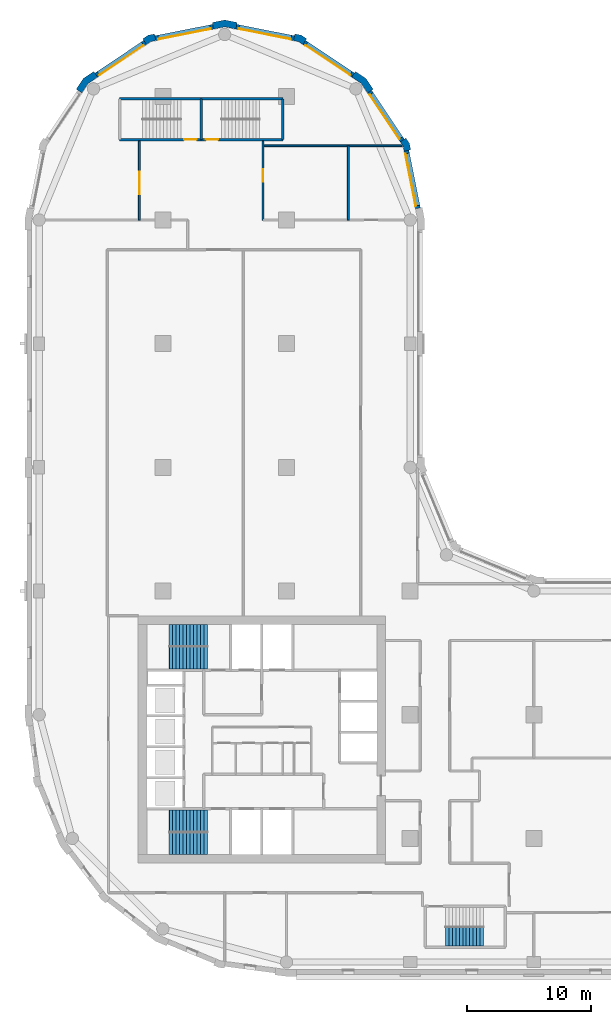
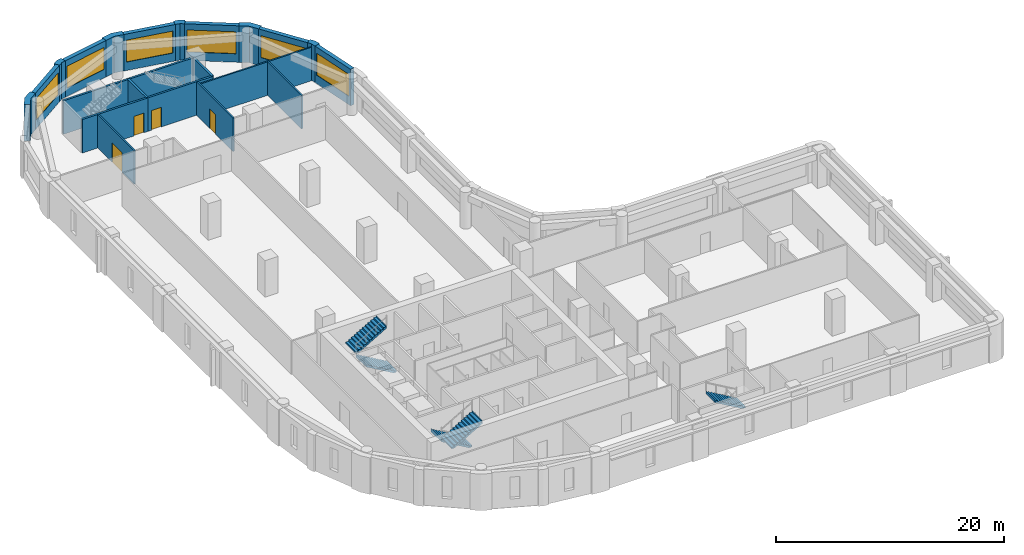
# One storey, part 6 of 9: 22 walls, 6 windows, 5 stair flights, 4 doors, 10 openings, 3 elements without a shape of their own.
"""IFC4 building model written with IfcOpenShell, lengths in metres."""

from ifc_helpers import new_model, si_unit, direction, frame, frame_2d, origin, place, context, subcontext, project, spatial, polyline, rectangle, outline, extrude, material, layer, layer_set, type_object, element, fill, aggregate, save


model = new_model("IFC4")

# Units and contexts
model_context = context("Model", 3, precision=1e-05, world=origin(), true_north=direction((0.0, 1.0)))
body_context = subcontext(model_context, "Body", "Model", "MODEL_VIEW")
ifc_project = project(units=[si_unit("LENGTHUNIT", "METRE"), si_unit("AREAUNIT", "SQUARE_METRE"), si_unit("VOLUMEUNIT", "CUBIC_METRE"), si_unit("PLANEANGLEUNIT", "RADIAN"), si_unit("MASSUNIT", "GRAM", prefix="KILO")], contexts=[model_context])

# Site, building, storey
site_placement = place(None, origin())
site = spatial("IfcSite", under=ifc_project, at=site_placement, CompositionType="ELEMENT")
building_placement = place(site_placement, origin())
building = spatial("IfcBuilding", under=site, at=building_placement, Name="Qaws Garden Tower", CompositionType="ELEMENT")
storey_placement = place(building_placement, frame((0.0, 0.0, 147.300048828125)))
storey = spatial("IfcBuildingStorey", under=building, at=storey_placement, Name="L35", CompositionType="ELEMENT", Elevation=147.300048828125)

# Wall, opening, window
ifc_material_1 = material(Name="Clay facing brick masonry", Category="masonry")
ifc_layer_1 = layer(ifc_material_1, 0.39990234375)
ifc_layer_set_1 = layer_set([ifc_layer_1], Name="Clay facing brick masonry")
wall_type_1 = type_object("IfcWallType", Name="Brick infill wall 400", PredefinedType="SOLIDWALL", material=ifc_layer_set_1)
wall_1_placement = place(storey_placement, frame((30.628662109375, 60.940673828125, 0.0), z_axis=(0.0, 0.0, 1.0), x_axis=(-0.195098533057, 0.98078364709, 0.0)))
wall_1 = element("IfcWall", 1, at=wall_1_placement, inside=storey, type_object=wall_type_1, Name="E-L35-infill-13", PredefinedType="SOLIDWALL", context=body_context, shape_type="SweptSolid", body=[
    extrude(rectangle(XDim=4.752685546875, YDim=0.39990234375, at=frame_2d((2.37646484375, 0.0))), origin(), (0.0, 0.0, 1.0), 3.89990234375),
])
opening_1_placement = place(wall_1_placement, frame((0.226318359375, 0.0, 0.89990234375)))
opening_1 = element("IfcOpeningElement", 2, at=opening_1_placement, cuts=wall_1, Name="Opening W06", PredefinedType="OPENING", context=body_context, shape_type="SweptSolid", body=[
    extrude(rectangle(XDim=4.300048828125, YDim=2.35009765625, at=frame_2d((2.14990234375, 1.175048828125))), frame((0.0, 0.2099609375, 0.0), z_axis=(0.0, -1.0, 0.0), x_axis=(1.0, 0.0, 0.0)), (0.0, 0.0, 1.0), 0.419921875),
])
ifc_material_2 = material(Name="Aluminium framed window, clear glazing", Category="aluminium")
window_type = type_object("IfcWindowType", Name="Ribbon window 4300 x 2350", PartitioningType="DOUBLE_PANEL_VERTICAL", PredefinedType="WINDOW", material=ifc_material_2)
window_1_placement = place(opening_1_placement, origin())
window_1 = element("IfcWindow", 3, at=window_1_placement, inside=storey, type_object=window_type, Name="E-L35-window-13-0", OverallHeight=2.35009765625, OverallWidth=4.300048828125, PartitioningType="SINGLE_PANEL", PredefinedType="WINDOW", context=body_context, shape_type="SweptSolid", body=[
    extrude(rectangle(XDim=4.300048828125, YDim=2.35009765625, at=frame_2d((2.14990234375, 1.175048828125))), frame((0.0, 0.159912109375, 0.0), z_axis=(0.0, -1.0, 0.0), x_axis=(1.0, 0.0, 0.0)), (0.0, 0.0, 1.0), 0.06005859375),
])
fill(opening_1, window_1)

wall_2_placement = place(storey_placement, frame((29.356689453125, 66.43408203125, 0.0), z_axis=(0.0, 0.0, 1.0), x_axis=(-0.555541552266, 0.831488775454, 0.0)))
wall_2 = element("IfcWall", 4, at=wall_2_placement, inside=storey, type_object=wall_type_1, Name="E-L35-infill-14", PredefinedType="SOLIDWALL", context=body_context, shape_type="SweptSolid", body=[
    extrude(rectangle(XDim=4.752685546875, YDim=0.39990234375, at=frame_2d((2.37646484375, 0.0))), origin(), (0.0, 0.0, 1.0), 3.89990234375),
])
opening_2_placement = place(wall_2_placement, frame((0.226318359375, 0.0, 0.89990234375)))
opening_2 = element("IfcOpeningElement", 5, at=opening_2_placement, cuts=wall_2, Name="Opening W06", PredefinedType="OPENING", context=body_context, shape_type="SweptSolid", body=[
    extrude(rectangle(XDim=4.300048828125, YDim=2.35009765625, at=frame_2d((2.14990234375, 1.175048828125))), frame((0.0, 0.2099609375, 0.0), z_axis=(0.0, -1.0, 0.0), x_axis=(1.0, 0.0, 0.0)), (0.0, 0.0, 1.0), 0.419921875),
])
window_2_placement = place(opening_2_placement, origin())
window_2 = element("IfcWindow", 6, at=window_2_placement, inside=storey, type_object=window_type, Name="E-L35-window-14-0", OverallHeight=2.35009765625, OverallWidth=4.300048828125, PartitioningType="SINGLE_PANEL", PredefinedType="WINDOW", context=body_context, shape_type="SweptSolid", body=[
    extrude(rectangle(XDim=4.300048828125, YDim=2.35009765625, at=frame_2d((2.14990234375, 1.175048828125))), frame((0.0, 0.159912109375, 0.0), z_axis=(0.0, -1.0, 0.0), x_axis=(1.0, 0.0, 0.0)), (0.0, 0.0, 1.0), 0.06005859375),
])
fill(opening_2, window_2)

wall_3_placement = place(storey_placement, frame((25.385986328125, 71.71630859375, 0.0), z_axis=(0.0, 0.0, 1.0), x_axis=(-0.831488775454, 0.555541552266, 0.0)))
wall_3 = element("IfcWall", 7, at=wall_3_placement, inside=storey, type_object=wall_type_1, Name="E-L35-infill-15", PredefinedType="SOLIDWALL", context=body_context, shape_type="SweptSolid", body=[
    extrude(rectangle(XDim=4.752685546875, YDim=0.39990234375, at=frame_2d((2.37646484375, 0.0))), origin(), (0.0, 0.0, 1.0), 3.89990234375),
])
opening_3_placement = place(wall_3_placement, frame((0.226318359375, 0.0, 0.89990234375)))
opening_3 = element("IfcOpeningElement", 8, at=opening_3_placement, cuts=wall_3, Name="Opening W06", PredefinedType="OPENING", context=body_context, shape_type="SweptSolid", body=[
    extrude(rectangle(XDim=4.300048828125, YDim=2.35009765625, at=frame_2d((2.14990234375, 1.175048828125))), frame((0.0, 0.2099609375, 0.0), z_axis=(0.0, -1.0, 0.0), x_axis=(1.0, 0.0, 0.0)), (0.0, 0.0, 1.0), 0.419921875),
])
window_3_placement = place(opening_3_placement, origin())
window_3 = element("IfcWindow", 9, at=window_3_placement, inside=storey, type_object=window_type, Name="E-L35-window-15-0", OverallHeight=2.35009765625, OverallWidth=4.300048828125, PartitioningType="SINGLE_PANEL", PredefinedType="WINDOW", context=body_context, shape_type="SweptSolid", body=[
    extrude(rectangle(XDim=4.300048828125, YDim=2.35009765625, at=frame_2d((2.14990234375, 1.175048828125))), frame((0.0, 0.159912109375, 0.0), z_axis=(0.0, -1.0, 0.0), x_axis=(1.0, 0.0, 0.0)), (0.0, 0.0, 1.0), 0.06005859375),
])
fill(opening_3, window_3)

wall_4_placement = place(storey_placement, frame((20.60205078125, 74.701416015625, 0.0), z_axis=(0.0, 0.0, 1.0), x_axis=(-0.98078364709, 0.195098533057, 0.0)))
wall_4 = element("IfcWall", 10, at=wall_4_placement, inside=storey, type_object=wall_type_1, Name="E-L35-infill-16", PredefinedType="SOLIDWALL", context=body_context, shape_type="SweptSolid", body=[
    extrude(rectangle(XDim=4.752685546875, YDim=0.39990234375, at=frame_2d((2.37646484375, 0.0))), origin(), (0.0, 0.0, 1.0), 3.89990234375),
])
opening_4_placement = place(wall_4_placement, frame((0.226318359375, 0.0, 0.89990234375)))
opening_4 = element("IfcOpeningElement", 11, at=opening_4_placement, cuts=wall_4, Name="Opening W06", PredefinedType="OPENING", context=body_context, shape_type="SweptSolid", body=[
    extrude(rectangle(XDim=4.300048828125, YDim=2.35009765625, at=frame_2d((2.14990234375, 1.175048828125))), frame((0.0, 0.2099609375, 0.0), z_axis=(0.0, -1.0, 0.0), x_axis=(1.0, 0.0, 0.0)), (0.0, 0.0, 1.0), 0.419921875),
])
window_4_placement = place(opening_4_placement, origin())
window_4 = element("IfcWindow", 12, at=window_4_placement, inside=storey, type_object=window_type, Name="E-L35-window-16-0", OverallHeight=2.35009765625, OverallWidth=4.300048828125, PartitioningType="SINGLE_PANEL", PredefinedType="WINDOW", context=body_context, shape_type="SweptSolid", body=[
    extrude(rectangle(XDim=4.300048828125, YDim=2.35009765625, at=frame_2d((2.14990234375, 1.175048828125))), frame((0.0, 0.159912109375, 0.0), z_axis=(0.0, -1.0, 0.0), x_axis=(1.0, 0.0, 0.0)), (0.0, 0.0, 1.0), 0.06005859375),
])
fill(opening_4, window_4)

wall_5_placement = place(storey_placement, frame((14.059326171875, 75.628662109375, 0.0), z_axis=(0.0, 0.0, 1.0), x_axis=(-0.98078364709, -0.195098533057, 0.0)))
wall_5 = element("IfcWall", 13, at=wall_5_placement, inside=storey, type_object=wall_type_1, Name="E-L35-infill-17", PredefinedType="SOLIDWALL", context=body_context, shape_type="SweptSolid", body=[
    extrude(rectangle(XDim=4.752685546875, YDim=0.39990234375, at=frame_2d((2.37646484375, 0.0))), origin(), (0.0, 0.0, 1.0), 3.89990234375),
])
opening_5_placement = place(wall_5_placement, frame((0.226318359375, 0.0, 0.89990234375)))
opening_5 = element("IfcOpeningElement", 14, at=opening_5_placement, cuts=wall_5, Name="Opening W06", PredefinedType="OPENING", context=body_context, shape_type="SweptSolid", body=[
    extrude(rectangle(XDim=4.300048828125, YDim=2.35009765625, at=frame_2d((2.14990234375, 1.175048828125))), frame((0.0, 0.2099609375, 0.0), z_axis=(0.0, -1.0, 0.0), x_axis=(1.0, 0.0, 0.0)), (0.0, 0.0, 1.0), 0.419921875),
])
window_5_placement = place(opening_5_placement, origin())
window_5 = element("IfcWindow", 15, at=window_5_placement, inside=storey, type_object=window_type, Name="E-L35-window-17-0", OverallHeight=2.35009765625, OverallWidth=4.300048828125, PartitioningType="SINGLE_PANEL", PredefinedType="WINDOW", context=body_context, shape_type="SweptSolid", body=[
    extrude(rectangle(XDim=4.300048828125, YDim=2.35009765625, at=frame_2d((2.14990234375, 1.175048828125))), frame((0.0, 0.159912109375, 0.0), z_axis=(0.0, -1.0, 0.0), x_axis=(1.0, 0.0, 0.0)), (0.0, 0.0, 1.0), 0.06005859375),
])
fill(opening_5, window_5)

wall_6_placement = place(storey_placement, frame((8.56591796875, 74.356689453125, 0.0), z_axis=(0.0, 0.0, 1.0), x_axis=(-0.831488775454, -0.555541552266, 0.0)))
wall_6 = element("IfcWall", 16, at=wall_6_placement, inside=storey, type_object=wall_type_1, Name="E-L35-infill-18", PredefinedType="SOLIDWALL", context=body_context, shape_type="SweptSolid", body=[
    extrude(rectangle(XDim=4.752685546875, YDim=0.39990234375, at=frame_2d((2.37646484375, 0.0))), origin(), (0.0, 0.0, 1.0), 3.89990234375),
])
opening_6_placement = place(wall_6_placement, frame((0.226318359375, 0.0, 0.89990234375)))
opening_6 = element("IfcOpeningElement", 17, at=opening_6_placement, cuts=wall_6, Name="Opening W06", PredefinedType="OPENING", context=body_context, shape_type="SweptSolid", body=[
    extrude(rectangle(XDim=4.300048828125, YDim=2.35009765625, at=frame_2d((2.14990234375, 1.175048828125))), frame((0.0, 0.2099609375, 0.0), z_axis=(0.0, -1.0, 0.0), x_axis=(1.0, 0.0, 0.0)), (0.0, 0.0, 1.0), 0.419921875),
])
window_6_placement = place(opening_6_placement, origin())
window_6 = element("IfcWindow", 18, at=window_6_placement, inside=storey, type_object=window_type, Name="E-L35-window-18-0", OverallHeight=2.35009765625, OverallWidth=4.300048828125, PartitioningType="SINGLE_PANEL", PredefinedType="WINDOW", context=body_context, shape_type="SweptSolid", body=[
    extrude(rectangle(XDim=4.300048828125, YDim=2.35009765625, at=frame_2d((2.14990234375, 1.175048828125))), frame((0.0, 0.159912109375, 0.0), z_axis=(0.0, -1.0, 0.0), x_axis=(1.0, 0.0, 0.0)), (0.0, 0.0, 1.0), 0.06005859375),
])
fill(opening_6, window_6)

# Walls
ifc_material_3 = material(Name="Clay facing brick masonry", Category="masonry")
ifc_layer_2 = layer(ifc_material_3, 0.550048828125)
ifc_layer_set_2 = layer_set([ifc_layer_2], Name="Clay facing brick masonry")
wall_type_2 = type_object("IfcWallType", Name="Brick kink pier 550 x 600", PredefinedType="SOLIDWALL", material=ifc_layer_set_2)
placement = place(storey_placement, origin())
element("IfcWall", 19, at=placement, inside=storey, type_object=wall_type_2, Name="E-L35-pier-14", PredefinedType="SOLIDWALL", context=body_context, shape_type="SweptSolid", body=[
    extrude(outline(polyline([(29.8974609375, 65.64111328125), (30.044677734375, 65.67041015625), (29.94140625, 66.18896484375), (29.647705078125, 66.628662109375), (29.52294921875, 66.545166015625), (29.1904296875, 66.322998046875), (29.42333984375, 65.974365234375), (29.505126953125, 65.56298828125), (29.8974609375, 65.64111328125)])), origin(), (0.0, 0.0, 1.0), 3.89990234375),
])
element("IfcWall", 20, at=placement, inside=storey, type_object=wall_type_2, Name="E-L35-pier-16", PredefinedType="SOLIDWALL", context=body_context, shape_type="SweptSolid", body=[
    extrude(outline(polyline([(21.545166015625, 74.52294921875), (21.628662109375, 74.647705078125), (21.18896484375, 74.94140625), (20.67041015625, 75.044677734375), (20.64111328125, 74.8974609375), (20.56298828125, 74.505126953125), (20.974365234375, 74.42333984375), (21.322998046875, 74.1904296875), (21.545166015625, 74.52294921875)])), origin(), (0.0, 0.0, 1.0), 3.89990234375),
])
element("IfcWall", 21, at=placement, inside=storey, type_object=wall_type_2, Name="E-L35-pier-18", PredefinedType="SOLIDWALL", context=body_context, shape_type="SweptSolid", body=[
    extrude(outline(polyline([(9.35888671875, 74.8974609375), (9.32958984375, 75.044677734375), (8.81103515625, 74.94140625), (8.371337890625, 74.647705078125), (8.454833984375, 74.52294921875), (8.677001953125, 74.1904296875), (9.025634765625, 74.42333984375), (9.43701171875, 74.505126953125), (9.35888671875, 74.8974609375)])), origin(), (0.0, 0.0, 1.0), 3.89990234375),
])
ifc_material_4 = material(Name="Clay facing brick masonry", Category="masonry")
ifc_layer_3 = layer(ifc_material_4, 0.550048828125)
ifc_layer_set_3 = layer_set([ifc_layer_3], Name="Clay facing brick masonry")
wall_type_3 = type_object("IfcWallType", Name="Brick pier 550 x 1600", PredefinedType="SOLIDWALL", material=ifc_layer_set_3)
element("IfcWall", 22, at=placement, inside=storey, type_object=wall_type_3, Name="E-L35-pier-15", PredefinedType="SOLIDWALL", context=body_context, shape_type="SweptSolid", body=[
    extrude(outline(polyline([(26.882568359375, 70.4970703125), (27.00732421875, 70.580322265625), (26.435791015625, 71.435791015625), (25.580322265625, 72.00732421875), (25.4970703125, 71.882568359375), (25.274658203125, 71.550048828125), (26.0390625, 71.0390625), (26.550048828125, 70.274658203125), (26.882568359375, 70.4970703125)])), origin(), (0.0, 0.0, 1.0), 3.89990234375),
])
element("IfcWall", 23, at=placement, inside=storey, type_object=wall_type_3, Name="E-L35-pier-17", PredefinedType="SOLIDWALL", context=body_context, shape_type="SweptSolid", body=[
    extrude(outline(polyline([(15.979736328125, 75.82470703125), (16.009033203125, 75.971923828125), (15.0, 76.172607421875), (13.990966796875, 75.971923828125), (14.020263671875, 75.82470703125), (14.098388671875, 75.432373046875), (15.0, 75.61181640625), (15.901611328125, 75.432373046875), (15.979736328125, 75.82470703125)])), origin(), (0.0, 0.0, 1.0), 3.89990234375),
])
element("IfcWall", 24, at=placement, inside=storey, type_object=wall_type_3, Name="E-L35-pier-19", PredefinedType="SOLIDWALL", context=body_context, shape_type="SweptSolid", body=[
    extrude(outline(polyline([(4.5029296875, 71.882568359375), (4.419677734375, 72.00732421875), (3.564208984375, 71.435791015625), (2.99267578125, 70.580322265625), (3.117431640625, 70.4970703125), (3.449951171875, 70.274658203125), (3.9609375, 71.0390625), (4.725341796875, 71.550048828125), (4.5029296875, 71.882568359375)])), origin(), (0.0, 0.0, 1.0), 3.89990234375),
])

# Wall, opening, door
ifc_material_5 = material(Name="Concrete C70", Category="concrete")
ifc_layer_4 = layer(ifc_material_5, 0.199951171875)
ifc_layer_set_4 = layer_set([ifc_layer_4], Name="Concrete C70")
wall_type_4 = type_object("IfcWallType", Name="Core shaft wall 200 C70", PredefinedType="SHEAR", material=ifc_layer_set_4)
wall_13_placement = place(storey_placement, frame((6.5, 66.5, 0.0), z_axis=(0.0, 0.0, 1.0), x_axis=(1.0, 0.0, 0.0)))
wall_13 = element("IfcWall", 25, at=wall_13_placement, inside=storey, type_object=wall_type_4, Name="Shaft wall", PredefinedType="SHEAR", context=body_context, shape_type="SweptSolid", body=[
    extrude(rectangle(XDim=6.60009765625, YDim=0.199951171875, at=frame_2d((3.300048828125, 0.0))), origin(), (0.0, 0.0, 1.0), 3.579833984375),
])
opening_7_placement = place(wall_13_placement, frame((5.22509765625, 0.0, 0.0)))
opening_7 = element("IfcOpeningElement", 26, at=opening_7_placement, cuts=wall_13, Name="Opening SD13", PredefinedType="OPENING", context=body_context, shape_type="SweptSolid", body=[
    extrude(rectangle(XDim=1.0, YDim=2.10009765625, at=frame_2d((0.5, 1.050048828125))), frame((0.0, 0.10986328125, 0.0), z_axis=(0.0, -1.0, 0.0), x_axis=(1.0, 0.0, 0.0)), (0.0, 0.0, 1.0), 0.219970703125),
])
ifc_material_6 = material(Name="Steel S235", Category="steel")
door_type_1 = type_object("IfcDoorType", Name="Stair door 1000x2100", OperationType="SINGLE_SWING_RIGHT", PredefinedType="DOOR", material=ifc_material_6)
door_1_placement = place(opening_7_placement, origin())
door_1 = element("IfcDoor", 27, at=door_1_placement, inside=storey, type_object=door_type_1, Name="Stair 6 door", OperationType="SINGLE_SWING_RIGHT", OverallHeight=2.10009765625, OverallWidth=1.0, PredefinedType="DOOR", context=body_context, shape_type="SweptSolid", body=[
    extrude(rectangle(XDim=1.0, YDim=2.10009765625, at=frame_2d((0.5, 1.050048828125))), frame((0.0, 0.02490234375, 0.0), z_axis=(0.0, -1.0, 0.0), x_axis=(1.0, 0.0, 0.0)), (0.0, 0.0, 1.0), 0.050048828125),
])
fill(opening_7, door_1)

wall_14_placement = place(storey_placement, frame((13.10009765625, 66.5, 0.0), z_axis=(0.0, 0.0, 1.0), x_axis=(1.0, 0.0, 0.0)))
wall_14 = element("IfcWall", 28, at=wall_14_placement, inside=storey, type_object=wall_type_4, Name="Shaft wall", PredefinedType="SHEAR", context=body_context, shape_type="SweptSolid", body=[
    extrude(rectangle(XDim=6.599853515625, YDim=0.199951171875, at=frame_2d((3.2998046875, 0.0))), origin(), (0.0, 0.0, 1.0), 3.579833984375),
])
opening_8_placement = place(wall_14_placement, frame((0.375, 0.0, 0.0)))
opening_8 = element("IfcOpeningElement", 29, at=opening_8_placement, cuts=wall_14, Name="Opening SD14", PredefinedType="OPENING", context=body_context, shape_type="SweptSolid", body=[
    extrude(rectangle(XDim=1.0, YDim=2.10009765625, at=frame_2d((0.5, 1.050048828125))), frame((0.0, 0.10986328125, 0.0), z_axis=(0.0, -1.0, 0.0), x_axis=(1.0, 0.0, 0.0)), (0.0, 0.0, 1.0), 0.219970703125),
])
door_2_placement = place(opening_8_placement, origin())
door_2 = element("IfcDoor", 30, at=door_2_placement, inside=storey, type_object=door_type_1, Name="Stair 7 door", OperationType="SINGLE_SWING_LEFT", OverallHeight=2.10009765625, OverallWidth=1.0, PredefinedType="DOOR", context=body_context, shape_type="SweptSolid", body=[
    extrude(rectangle(XDim=1.0, YDim=2.10009765625, at=frame_2d((0.5, 1.050048828125))), frame((0.0, 0.02490234375, 0.0), z_axis=(0.0, -1.0, 0.0), x_axis=(1.0, 0.0, 0.0)), (0.0, 0.0, 1.0), 0.050048828125),
])
fill(opening_8, door_2)

# Walls
wall_15_placement = place(storey_placement, frame((6.5, 69.800048828125, 0.0), z_axis=(0.0, 0.0, 1.0), x_axis=(1.0, 0.0, 0.0)))
element("IfcWall", 31, at=wall_15_placement, inside=storey, type_object=wall_type_4, Name="Shaft wall", PredefinedType="SHEAR", context=body_context, shape_type="SweptSolid", body=[
    extrude(rectangle(XDim=6.60009765625, YDim=0.199951171875, at=frame_2d((3.300048828125, 0.0))), origin(), (0.0, 0.0, 1.0), 3.579833984375),
])
wall_16_placement = place(storey_placement, frame((13.10009765625, 69.800048828125, 0.0), z_axis=(0.0, 0.0, 1.0), x_axis=(1.0, 0.0, 0.0)))
element("IfcWall", 32, at=wall_16_placement, inside=storey, type_object=wall_type_4, Name="Shaft wall", PredefinedType="SHEAR", context=body_context, shape_type="SweptSolid", body=[
    extrude(rectangle(XDim=6.599853515625, YDim=0.199951171875, at=frame_2d((3.2998046875, 0.0))), origin(), (0.0, 0.0, 1.0), 3.579833984375),
])
for number, where, z_axis, x_axis, name in (
    (33, (13.10009765625, 66.5, 0.0), (0.0, 0.0, 1.0), (0.0, 1.0, 0.0), "Shaft wall"),
    (34, (19.699951171875, 66.5, 0.0), (0.0, 0.0, 1.0), (0.0, 1.0, 0.0), "Shaft wall"),
):
    element("IfcWall", number, at=place(storey_placement, frame(where, z_axis=z_axis, x_axis=x_axis)), inside=storey, type_object=wall_type_4, Name=name, PredefinedType="SHEAR", context=body_context, shape_type="SweptSolid", body=[
        extrude(rectangle(XDim=3.300048828125, YDim=0.199951171875, at=frame_2d((1.64990234375, 0.0))), origin(), (0.0, 0.0, 1.0), 3.579833984375),
    ])

# Wall, opening, door
ifc_material_7 = material(Name="Gypsum board partition")
ifc_layer_5 = layer(ifc_material_7, 0.14990234375)
ifc_layer_set_5 = layer_set([ifc_layer_5], Name="Gypsum board partition")
wall_type_5 = type_object("IfcWallType", Name="PARTITION 150 EI 60", PredefinedType="PARTITIONING", material=ifc_layer_set_5)
wall_17_placement = place(storey_placement, frame((8.10009765625, 60.0, 0.0), z_axis=(0.0, 0.0, 1.0), x_axis=(0.0, 1.0, 0.0)))
wall_17 = element("IfcWall", 35, at=wall_17_placement, inside=storey, type_object=wall_type_5, Name="O-L35-wall-006", PredefinedType="PARTITIONING", context=body_context, shape_type="SweptSolid", body=[
    extrude(rectangle(XDim=6.39990234375, YDim=0.14990234375, at=frame_2d((3.199951171875, 0.0))), origin(), (0.0, 0.0, 1.0), 3.579833984375),
])
opening_9_placement = place(wall_17_placement, frame((2.10009765625, 0.0, 0.0)))
opening_9 = element("IfcOpeningElement", 36, at=opening_9_placement, cuts=wall_17, Name="Opening B207", PredefinedType="OPENING", context=body_context, shape_type="SweptSolid", body=[
    extrude(rectangle(XDim=1.800048828125, YDim=2.10009765625, at=frame_2d((0.89990234375, 1.050048828125))), frame((0.0, 0.0849609375, 0.0), z_axis=(0.0, -1.0, 0.0), x_axis=(1.0, 0.0, 0.0)), (0.0, 0.0, 1.0), 0.169921875),
])
ifc_material_8 = material(Name="Timber door leaf", Category="wood")
door_type_2 = type_object("IfcDoorType", Name="DOUBLE DOOR 1800 X 2100", OperationType="DOUBLE_DOOR_SINGLE_SWING", PredefinedType="DOOR", material=ifc_material_8)
door_3_placement = place(opening_9_placement, origin())
door_3 = element("IfcDoor", 37, at=door_3_placement, inside=storey, type_object=door_type_2, Name="O-L35-door-007", OperationType="DOUBLE_DOOR_SINGLE_SWING", OverallHeight=2.10009765625, OverallWidth=1.800048828125, PredefinedType="DOOR", context=body_context, shape_type="SweptSolid", body=[
    extrude(rectangle(XDim=1.800048828125, YDim=2.10009765625, at=frame_2d((0.89990234375, 1.050048828125))), frame((0.0, 0.02490234375, 0.0), z_axis=(0.0, -1.0, 0.0), x_axis=(1.0, 0.0, 0.0)), (0.0, 0.0, 1.0), 0.050048828125),
])
fill(opening_9, door_3)

wall_18_placement = place(storey_placement, frame((18.10009765625, 60.0, 0.0), z_axis=(0.0, 0.0, 1.0), x_axis=(0.0, 1.0, 0.0)))
wall_18 = element("IfcWall", 38, at=wall_18_placement, inside=storey, type_object=wall_type_5, Name="O-L35-wall-010", PredefinedType="PARTITIONING", context=body_context, shape_type="SweptSolid", body=[
    extrude(rectangle(XDim=6.39990234375, YDim=0.14990234375, at=frame_2d((3.199951171875, 0.0))), origin(), (0.0, 0.0, 1.0), 3.579833984375),
])
opening_10_placement = place(wall_18_placement, frame((3.10009765625, 0.0, 0.0)))
opening_10 = element("IfcOpeningElement", 39, at=opening_10_placement, cuts=wall_18, Name="Opening B208", PredefinedType="OPENING", context=body_context, shape_type="SweptSolid", body=[
    extrude(rectangle(XDim=1.0, YDim=2.10009765625, at=frame_2d((0.5, 1.050048828125))), frame((0.0, 0.0849609375, 0.0), z_axis=(0.0, -1.0, 0.0), x_axis=(1.0, 0.0, 0.0)), (0.0, 0.0, 1.0), 0.169921875),
])
ifc_material_9 = material(Name="Timber door leaf", Category="wood")
door_type_3 = type_object("IfcDoorType", Name="TENANCY ENTRANCE DOOR 1000 X 2100", OperationType="SINGLE_SWING_LEFT", PredefinedType="DOOR", material=ifc_material_9)
door_4_placement = place(opening_10_placement, frame((1.0, 0.0, 0.0), z_axis=(0.0, 0.0, 1.0), x_axis=(-1.0, 0.0, 0.0)))
door_4 = element("IfcDoor", 40, at=door_4_placement, inside=storey, type_object=door_type_3, Name="O-L35-door-008", OperationType="SINGLE_SWING_RIGHT", OverallHeight=2.10009765625, OverallWidth=1.0, PredefinedType="DOOR", context=body_context, shape_type="SweptSolid", body=[
    extrude(rectangle(XDim=1.0, YDim=2.10009765625, at=frame_2d((0.5, 1.050048828125))), frame((0.0, 0.02490234375, 0.0), z_axis=(0.0, -1.0, 0.0), x_axis=(1.0, 0.0, 0.0)), (0.0, 0.0, 1.0), 0.050048828125),
])
fill(opening_10, door_4)

# Walls
wall_19_placement = place(storey_placement, frame((25.0, 60.0, 0.0), z_axis=(0.0, 0.0, 1.0), x_axis=(0.0, 1.0, 0.0)))
element("IfcWall", 41, at=wall_19_placement, inside=storey, type_object=wall_type_5, Name="O-L35-wall-012", PredefinedType="PARTITIONING", context=body_context, shape_type="SweptSolid", body=[
    extrude(rectangle(XDim=6.0, YDim=0.14990234375, at=frame_2d((3.0, 0.0))), origin(), (0.0, 0.0, 1.0), 3.579833984375),
])
wall_20_placement = place(storey_placement, frame((18.10009765625, 66.0, 0.0), z_axis=(0.0, 0.0, 1.0), x_axis=(1.0, 0.0, 0.0)))
element("IfcWall", 42, at=wall_20_placement, inside=storey, type_object=wall_type_5, Name="O-L35-wall-050", PredefinedType="PARTITIONING", context=body_context, shape_type="SweptSolid", body=[
    extrude(rectangle(XDim=11.256103515625, YDim=0.14990234375, at=frame_2d((5.6279296875, 0.0))), origin(), (0.0, 0.0, 1.0), 3.579833984375),
])

# Stair, stair flight
ifc_material_10 = material(Name="Concrete C40", Category="concrete")
stair_type_1 = type_object("IfcStairType", Name="Exit stair 1350", PredefinedType="HALF_TURN_STAIR", material=ifc_material_10)
stair_1 = element("IfcStair", 43, at=placement, inside=storey, type_object=stair_type_1, Name="Stair 5", PredefinedType="HALF_TURN_STAIR")
ifc_material_11 = material(Name="Concrete C40", Category="concrete")
stair_flight_type_1 = type_object("IfcStairFlightType", Name="Stair flight 1350", PredefinedType="STRAIGHT", material=ifc_material_11)
stair_flight_1_placement = place(storey_placement, frame((35.929931640625, 2.074951171875, 1.949951171875), z_axis=(0.0, 0.0, 1.0), x_axis=(-1.0, 0.0, 0.0)))
stair_flight_1 = element("IfcStairFlight", 44, at=stair_flight_1_placement, type_object=stair_flight_type_1, Name="ST5 flight 2", NumberOfRisers=12, NumberOfTreads=11, PredefinedType="STRAIGHT", RiserHeight=0.1625, TreadLength=0.28, context=body_context, shape_type="SweptSolid", body=[
    extrude(outline(polyline([(-0.0029296875, 0.0), (-0.0029296875, 0.16259765625), (0.0, 0.16259765625), (0.280029296875, 0.16259765625), (0.280029296875, 0.324951171875), (0.56005859375, 0.324951171875), (0.56005859375, 0.487548828125), (0.840087890625, 0.487548828125), (0.840087890625, 0.64990234375), (1.1201171875, 0.64990234375), (1.1201171875, 0.8125), (1.39990234375, 0.8125), (1.39990234375, 0.97509765625), (1.679931640625, 0.97509765625), (1.679931640625, 1.137451171875), (1.9599609375, 1.137451171875), (1.9599609375, 1.300048828125), (2.239990234375, 1.300048828125), (2.239990234375, 1.46240234375), (2.52001953125, 1.46240234375), (2.52001953125, 1.625), (2.800048828125, 1.625), (2.800048828125, 1.78759765625), (3.080078125, 1.78759765625), (3.080078125, 1.949951171875), (3.0830078125, 1.949951171875), (3.0830078125, 1.6142578125), (3.080078125, 1.6142578125), (0.298583984375, 0.0), (-0.0029296875, 0.0)])), frame((0.0, 0.77490234375, 0.0), z_axis=(0.0, -1.0, 0.0), x_axis=(1.0, 0.0, 0.0)), (0.0, 0.0, 1.0), 1.550048828125),
])
aggregate(stair_1, [stair_flight_1])

# Stair, stair flights
ifc_material_12 = material(Name="Concrete C40", Category="concrete")
stair_type_2 = type_object("IfcStairType", Name="Exit stair 1500", PredefinedType="HALF_TURN_STAIR", material=ifc_material_12)
stair_2 = element("IfcStair", 45, at=placement, inside=storey, type_object=stair_type_2, Name="Stair 1", PredefinedType="HALF_TURN_STAIR")
ifc_material_13 = material(Name="Concrete C40", Category="concrete")
stair_flight_type_2 = type_object("IfcStairFlightType", Name="Stair flight 1500", PredefinedType="STRAIGHT", material=ifc_material_13)
stair_flight_2_placement = place(storey_placement, frame((13.60009765625, 11.39990234375, 0.0), z_axis=(0.0, 0.0, 1.0), x_axis=(-1.0, 0.0, 0.0)))
stair_flight_2 = element("IfcStairFlight", 46, at=stair_flight_2_placement, type_object=stair_flight_type_2, Name="ST1 flight 1", NumberOfRisers=12, NumberOfTreads=11, PredefinedType="STRAIGHT", RiserHeight=0.1625, TreadLength=0.28, context=body_context, shape_type="SweptSolid", body=[
    extrude(outline(polyline([(-0.0029296875, 0.0), (-0.0029296875, 0.16259765625), (0.0, 0.16259765625), (0.280029296875, 0.16259765625), (0.280029296875, 0.324951171875), (0.56005859375, 0.324951171875), (0.56005859375, 0.487548828125), (0.840087890625, 0.487548828125), (0.840087890625, 0.64990234375), (1.1201171875, 0.64990234375), (1.1201171875, 0.8125), (1.39990234375, 0.8125), (1.39990234375, 0.97509765625), (1.679931640625, 0.97509765625), (1.679931640625, 1.137451171875), (1.9599609375, 1.137451171875), (1.9599609375, 1.300048828125), (2.239990234375, 1.300048828125), (2.239990234375, 1.46240234375), (2.52001953125, 1.46240234375), (2.52001953125, 1.625), (2.800048828125, 1.625), (2.800048828125, 1.78759765625), (3.080078125, 1.78759765625), (3.080078125, 1.949951171875), (3.0830078125, 1.949951171875), (3.0830078125, 1.6142578125), (3.080078125, 1.6142578125), (0.298583984375, 0.0), (-0.0029296875, 0.0)])), frame((0.0, 0.89990234375, 0.0), z_axis=(0.0, -1.0, 0.0), x_axis=(1.0, 0.0, 0.0)), (0.0, 0.0, 1.0), 1.800048828125),
])
stair_flight_3_placement = place(storey_placement, frame((10.52001953125, 9.60009765625, 1.949951171875), z_axis=(0.0, 0.0, 1.0), x_axis=(1.0, 0.0, 0.0)))
stair_flight_3 = element("IfcStairFlight", 47, at=stair_flight_3_placement, type_object=stair_flight_type_2, Name="ST1 flight 2", NumberOfRisers=12, NumberOfTreads=11, PredefinedType="STRAIGHT", RiserHeight=0.1625, TreadLength=0.28, context=body_context, shape_type="SweptSolid", body=[
    extrude(outline(polyline([(-0.0029296875, 0.0), (-0.0029296875, 0.16259765625), (0.0, 0.16259765625), (0.280029296875, 0.16259765625), (0.280029296875, 0.324951171875), (0.56005859375, 0.324951171875), (0.56005859375, 0.487548828125), (0.840087890625, 0.487548828125), (0.840087890625, 0.64990234375), (1.1201171875, 0.64990234375), (1.1201171875, 0.8125), (1.39990234375, 0.8125), (1.39990234375, 0.97509765625), (1.679931640625, 0.97509765625), (1.679931640625, 1.137451171875), (1.9599609375, 1.137451171875), (1.9599609375, 1.300048828125), (2.239990234375, 1.300048828125), (2.239990234375, 1.46240234375), (2.52001953125, 1.46240234375), (2.52001953125, 1.625), (2.800048828125, 1.625), (2.800048828125, 1.78759765625), (3.080078125, 1.78759765625), (3.080078125, 1.949951171875), (3.0830078125, 1.949951171875), (3.0830078125, 1.6142578125), (3.080078125, 1.6142578125), (0.298583984375, 0.0), (-0.0029296875, 0.0)])), frame((0.0, 0.89990234375, 0.0), z_axis=(0.0, -1.0, 0.0), x_axis=(1.0, 0.0, 0.0)), (0.0, 0.0, 1.0), 1.800048828125),
])
aggregate(stair_2, [stair_flight_2, stair_flight_3])

stair_3 = element("IfcStair", 48, at=placement, inside=storey, type_object=stair_type_2, Name="Stair 4", PredefinedType="HALF_TURN_STAIR")
stair_flight_4_placement = place(storey_placement, frame((13.60009765625, 24.60009765625, 0.0), z_axis=(0.0, 0.0, 1.0), x_axis=(-1.0, 0.0, 0.0)))
stair_flight_4 = element("IfcStairFlight", 49, at=stair_flight_4_placement, type_object=stair_flight_type_2, Name="ST4 flight 1", NumberOfRisers=12, NumberOfTreads=11, PredefinedType="STRAIGHT", RiserHeight=0.1625, TreadLength=0.28, context=body_context, shape_type="SweptSolid", body=[
    extrude(outline(polyline([(-0.0029296875, 0.0), (-0.0029296875, 0.16259765625), (0.0, 0.16259765625), (0.280029296875, 0.16259765625), (0.280029296875, 0.324951171875), (0.56005859375, 0.324951171875), (0.56005859375, 0.487548828125), (0.840087890625, 0.487548828125), (0.840087890625, 0.64990234375), (1.1201171875, 0.64990234375), (1.1201171875, 0.8125), (1.39990234375, 0.8125), (1.39990234375, 0.97509765625), (1.679931640625, 0.97509765625), (1.679931640625, 1.137451171875), (1.9599609375, 1.137451171875), (1.9599609375, 1.300048828125), (2.239990234375, 1.300048828125), (2.239990234375, 1.46240234375), (2.52001953125, 1.46240234375), (2.52001953125, 1.625), (2.800048828125, 1.625), (2.800048828125, 1.78759765625), (3.080078125, 1.78759765625), (3.080078125, 1.949951171875), (3.0830078125, 1.949951171875), (3.0830078125, 1.6142578125), (3.080078125, 1.6142578125), (0.298583984375, 0.0), (-0.0029296875, 0.0)])), frame((0.0, 0.89501953125, 0.0), z_axis=(0.0, -1.0, 0.0), x_axis=(1.0, 0.0, 0.0)), (0.0, 0.0, 1.0), 1.7900390625),
])
stair_flight_5_placement = place(storey_placement, frame((10.52001953125, 26.39990234375, 1.949951171875), z_axis=(0.0, 0.0, 1.0), x_axis=(1.0, 0.0, 0.0)))
stair_flight_5 = element("IfcStairFlight", 50, at=stair_flight_5_placement, type_object=stair_flight_type_2, Name="ST4 flight 2", NumberOfRisers=12, NumberOfTreads=11, PredefinedType="STRAIGHT", RiserHeight=0.1625, TreadLength=0.28, context=body_context, shape_type="SweptSolid", body=[
    extrude(outline(polyline([(-0.0029296875, 0.0), (-0.0029296875, 0.16259765625), (0.0, 0.16259765625), (0.280029296875, 0.16259765625), (0.280029296875, 0.324951171875), (0.56005859375, 0.324951171875), (0.56005859375, 0.487548828125), (0.840087890625, 0.487548828125), (0.840087890625, 0.64990234375), (1.1201171875, 0.64990234375), (1.1201171875, 0.8125), (1.39990234375, 0.8125), (1.39990234375, 0.97509765625), (1.679931640625, 0.97509765625), (1.679931640625, 1.137451171875), (1.9599609375, 1.137451171875), (1.9599609375, 1.300048828125), (2.239990234375, 1.300048828125), (2.239990234375, 1.46240234375), (2.52001953125, 1.46240234375), (2.52001953125, 1.625), (2.800048828125, 1.625), (2.800048828125, 1.78759765625), (3.080078125, 1.78759765625), (3.080078125, 1.949951171875), (3.0830078125, 1.949951171875), (3.0830078125, 1.6142578125), (3.080078125, 1.6142578125), (0.298583984375, 0.0), (-0.0029296875, 0.0)])), frame((0.0, 0.89501953125, 0.0), z_axis=(0.0, -1.0, 0.0), x_axis=(1.0, 0.0, 0.0)), (0.0, 0.0, 1.0), 1.7900390625),
])
aggregate(stair_3, [stair_flight_4, stair_flight_5])

save(model, "model.ifc")
